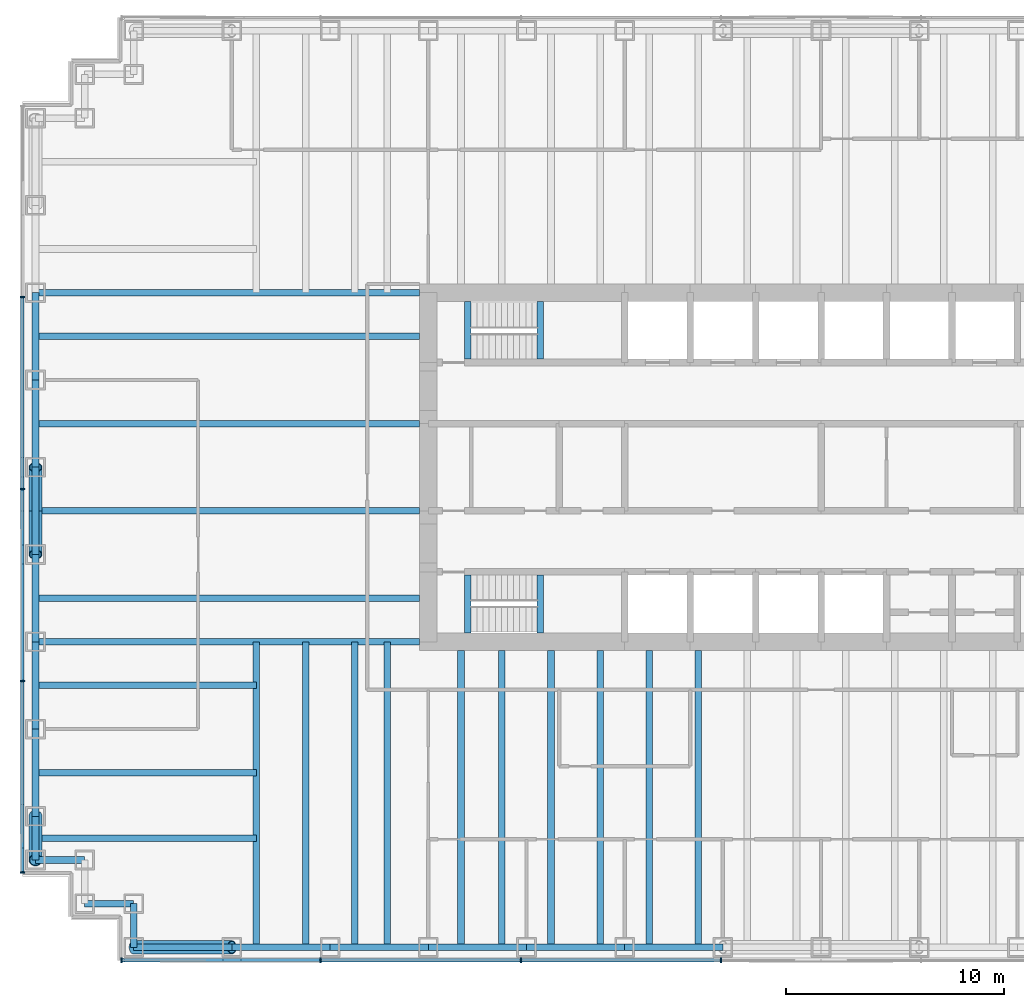
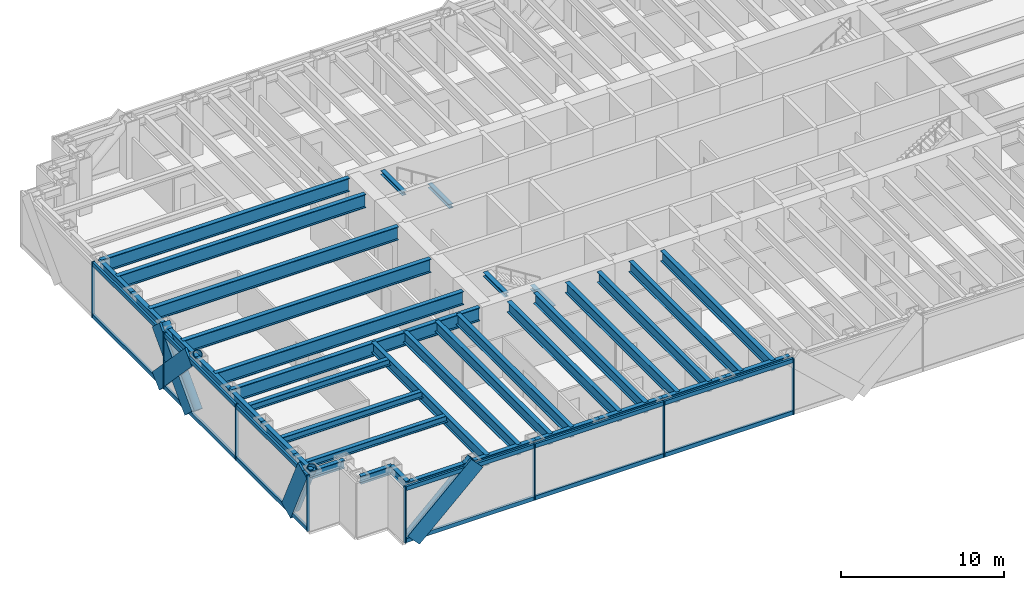
# One storey, part 2 of 15: 39 beams, 28 members, 2 elements without a shape of their own.
"""IFC4 building model written with IfcOpenShell, lengths in metres."""

from ifc_helpers import new_model, si_unit, direction, frame, origin, origin_2d, place, context, subcontext, project, spatial, rectangle, hollow_circle, i_section, extrude, material, material_profile, profile_set, type_object, element, aggregate, save


model = new_model("IFC4")

# Units and contexts
model_context = context("Model", 3, precision=1e-05, world=origin(), true_north=direction((0.0, 1.0)))
body_context = subcontext(model_context, "Body", "Model", "MODEL_VIEW")
ifc_project = project(units=[si_unit("LENGTHUNIT", "METRE"), si_unit("AREAUNIT", "SQUARE_METRE"), si_unit("VOLUMEUNIT", "CUBIC_METRE"), si_unit("PLANEANGLEUNIT", "RADIAN"), si_unit("MASSUNIT", "GRAM", prefix="KILO")], contexts=[model_context])

# Site, building, storey
site_placement = place(None, origin())
site = spatial("IfcSite", under=ifc_project, at=site_placement, CompositionType="ELEMENT")
building_placement = place(site_placement, origin())
building = spatial("IfcBuilding", under=site, at=building_placement, Name="Rheinbord Bourse Tower", CompositionType="ELEMENT")
storey_placement = place(building_placement, frame((0.0, 0.0, 215.199951171875)))
storey = spatial("IfcBuildingStorey", under=building, at=storey_placement, Name="L48", CompositionType="ELEMENT", Elevation=215.199951171875)

# Curtain wall, member
ifc_material_1 = material(Name="Dark glass and black aluminium", Category="aluminium")
curtain_wall_type = type_object("IfcCurtainWallType", Name="CW2 DARK GLASS CURTAIN WALL", PredefinedType="USERDEFINED", material=ifc_material_1)
curtain_wall_1_placement = place(storey_placement, origin())
curtain_wall_1 = element("IfcCurtainWall", 1, at=curtain_wall_1_placement, inside=storey, type_object=curtain_wall_type, Name="Curtain wall CW2 S L48", ObjectType="UNITISED CURTAIN WALL", PredefinedType="USERDEFINED")
ifc_material_2 = material(Name="Black anodised aluminium", Category="aluminium")
ifc_material_profile_1 = material_profile(ifc_material_2, rectangle(XDim=0.159912109375, YDim=1.2099609375, at=origin_2d()), Name="CW2 DIAGONAL MULLION 1210x160")
ifc_profile_set_1 = profile_set([ifc_material_profile_1], Name="Black anodised aluminium")
member_type_1 = type_object("IfcMemberType", Name="CW2 BLACK DIAGONAL MULLION", PredefinedType="USERDEFINED", material=ifc_profile_set_1)
member_1_placement = place(storey_placement, frame((4.5, 1.39990234375, 0.0), z_axis=(0.73105922506, 0.0, 0.682314010889), x_axis=(0.0, 1.0, 0.0)))
member_1 = element("IfcMember", 2, at=member_1_placement, type_object=member_type_1, Name="CW2 diagonal mullion c", ObjectType="DIAGONAL MULLION", PredefinedType="USERDEFINED", context=body_context, shape_type="SweptSolid", body=[
    extrude(rectangle(XDim=0.159912109375, YDim=1.2099609375, at=origin_2d()), origin(), (0.0, 0.0, 1.0), 6.155517578125),
])

# Curtain wall, members
curtain_wall_2_placement = place(storey_placement, origin())
curtain_wall_2 = element("IfcCurtainWall", 3, at=curtain_wall_2_placement, inside=storey, type_object=curtain_wall_type, Name="Curtain wall CW2 W L48", ObjectType="UNITISED CURTAIN WALL", PredefinedType="USERDEFINED")
member_2_placement = place(storey_placement, frame((-0.60009765625, 24.0, 0.0), z_axis=(0.0, -0.689659376744, 0.724133926887), x_axis=(1.0, 0.0, 0.0)))
member_2 = element("IfcMember", 4, at=member_2_placement, type_object=member_type_1, Name="CW2 diagonal mullion a", ObjectType="DIAGONAL MULLION", PredefinedType="USERDEFINED", context=body_context, shape_type="SweptSolid", body=[
    extrude(rectangle(XDim=0.159912109375, YDim=1.2099609375, at=origin_2d()), origin(), (0.0, 0.0, 1.0), 5.800048828125),
])
member_3_placement = place(storey_placement, frame((-0.60009765625, 20.0, 0.0), z_axis=(0.0, 0.689659376744, 0.724133926887), x_axis=(-1.0, 0.0, 0.0)))
member_3 = element("IfcMember", 5, at=member_3_placement, type_object=member_type_1, Name="CW2 diagonal mullion b", ObjectType="DIAGONAL MULLION", PredefinedType="USERDEFINED", context=body_context, shape_type="SweptSolid", body=[
    extrude(rectangle(XDim=0.159912109375, YDim=1.2099609375, at=origin_2d()), origin(), (0.0, 0.0, 1.0), 5.800048828125),
])
member_4_placement = place(storey_placement, frame((-0.60009765625, 8.0, 0.0), z_axis=(0.0, -0.429937654825, 0.902858578607), x_axis=(1.0, 0.0, 0.0)))
member_4 = element("IfcMember", 6, at=member_4_placement, type_object=member_type_1, Name="CW2 diagonal mullion c", ObjectType="DIAGONAL MULLION", PredefinedType="USERDEFINED", context=body_context, shape_type="SweptSolid", body=[
    extrude(rectangle(XDim=0.159912109375, YDim=1.2099609375, at=origin_2d()), origin(), (0.0, 0.0, 1.0), 4.65185546875),
])

# Member
ifc_material_3 = material(Name="Black anodised aluminium", Category="aluminium")
ifc_material_profile_2 = material_profile(ifc_material_3, rectangle(XDim=0.219970703125, YDim=0.070068359375, at=origin_2d()), Name="CW2 MULLION 70x220")
ifc_profile_set_2 = profile_set([ifc_material_profile_2], Name="Black anodised aluminium")
member_type_2 = type_object("IfcMemberType", Name="CW2 BLACK MULLION", PredefinedType="MULLION", material=ifc_profile_set_2)
member_5_placement = place(storey_placement, frame((3.93505859375, 1.39990234375, 0.0), z_axis=(0.0, 0.0, 1.0), x_axis=(0.0, 1.0, 0.0)))
member_5 = element("IfcMember", 7, at=member_5_placement, type_object=member_type_2, Name="CW2 mullion 1", PredefinedType="MULLION", context=body_context, shape_type="SweptSolid", body=[
    extrude(rectangle(XDim=0.219970703125, YDim=0.070068359375, at=origin_2d()), origin(), (0.0, 0.0, 1.0), 4.199951171875),
])

member_6_placement = place(storey_placement, frame((13.071533203125, 1.39990234375, 0.0), z_axis=(0.0, 0.0, 1.0), x_axis=(0.0, 1.0, 0.0)))
member_6 = element("IfcMember", 8, at=member_6_placement, type_object=member_type_2, Name="CW2 mullion 2", PredefinedType="MULLION", context=body_context, shape_type="SweptSolid", body=[
    extrude(rectangle(XDim=0.219970703125, YDim=0.070068359375, at=origin_2d()), origin(), (0.0, 0.0, 1.0), 4.199951171875),
])

member_7_placement = place(storey_placement, frame((22.242919921875, 1.39990234375, 0.0), z_axis=(0.0, 0.0, 1.0), x_axis=(0.0, 1.0, 0.0)))
member_7 = element("IfcMember", 9, at=member_7_placement, type_object=member_type_2, Name="CW2 mullion 3", PredefinedType="MULLION", context=body_context, shape_type="SweptSolid", body=[
    extrude(rectangle(XDim=0.219970703125, YDim=0.070068359375, at=origin_2d()), origin(), (0.0, 0.0, 1.0), 4.199951171875),
])

member_8_placement = place(storey_placement, frame((31.414306640625, 1.39990234375, 0.0), z_axis=(0.0, 0.0, 1.0), x_axis=(0.0, 1.0, 0.0)))
member_8 = element("IfcMember", 10, at=member_8_placement, type_object=member_type_2, Name="CW2 mullion 4", PredefinedType="MULLION", context=body_context, shape_type="SweptSolid", body=[
    extrude(rectangle(XDim=0.219970703125, YDim=0.070068359375, at=origin_2d()), origin(), (0.0, 0.0, 1.0), 4.199951171875),
])

member_9_placement = place(storey_placement, frame((-0.60009765625, 31.800048828125, 0.0), z_axis=(0.0, 0.0, 1.0), x_axis=(1.0, 0.0, 0.0)))
member_9 = element("IfcMember", 11, at=member_9_placement, type_object=member_type_2, Name="CW2 mullion 2", PredefinedType="MULLION", context=body_context, shape_type="SweptSolid", body=[
    extrude(rectangle(XDim=0.219970703125, YDim=0.070068359375, at=origin_2d()), origin(), (0.0, 0.0, 1.0), 4.199951171875),
])

member_10_placement = place(storey_placement, frame((-0.60009765625, 23.0, 0.0), z_axis=(0.0, 0.0, 1.0), x_axis=(1.0, 0.0, 0.0)))
member_10 = element("IfcMember", 12, at=member_10_placement, type_object=member_type_2, Name="CW2 mullion 3", PredefinedType="MULLION", context=body_context, shape_type="SweptSolid", body=[
    extrude(rectangle(XDim=0.219970703125, YDim=0.070068359375, at=origin_2d()), origin(), (0.0, 0.0, 1.0), 4.199951171875),
])

member_11_placement = place(storey_placement, frame((-0.60009765625, 14.199951171875, 0.0), z_axis=(0.0, 0.0, 1.0), x_axis=(1.0, 0.0, 0.0)))
member_11 = element("IfcMember", 13, at=member_11_placement, type_object=member_type_2, Name="CW2 mullion 4", PredefinedType="MULLION", context=body_context, shape_type="SweptSolid", body=[
    extrude(rectangle(XDim=0.219970703125, YDim=0.070068359375, at=origin_2d()), origin(), (0.0, 0.0, 1.0), 4.199951171875),
])

member_12_placement = place(storey_placement, frame((-0.60009765625, 5.43505859375, 0.0), z_axis=(0.0, 0.0, 1.0), x_axis=(1.0, 0.0, 0.0)))
member_12 = element("IfcMember", 14, at=member_12_placement, type_object=member_type_2, Name="CW2 mullion 5", PredefinedType="MULLION", context=body_context, shape_type="SweptSolid", body=[
    extrude(rectangle(XDim=0.219970703125, YDim=0.070068359375, at=origin_2d()), origin(), (0.0, 0.0, 1.0), 4.199951171875),
])

ifc_material_4 = material(Name="Black anodised aluminium", Category="aluminium")
ifc_material_profile_3 = material_profile(ifc_material_4, rectangle(XDim=0.159912109375, YDim=0.300048828125, at=origin_2d()), Name="CW2 TRANSOM 300x160")
ifc_profile_set_3 = profile_set([ifc_material_profile_3], Name="Black anodised aluminium")
member_type_3 = type_object("IfcMemberType", Name="CW2 BLACK TRANSOM", PredefinedType="USERDEFINED", material=ifc_profile_set_3)
member_13_placement = place(storey_placement, frame((3.969970703125, 1.39990234375, 0.150146484375), z_axis=(1.0, 0.0, 0.0), x_axis=(0.0, 1.0, 0.0)))
member_13 = element("IfcMember", 15, at=member_13_placement, type_object=member_type_3, Name="CW2 transom 1.1", ObjectType="TRANSOM", PredefinedType="USERDEFINED", context=body_context, shape_type="SweptSolid", body=[
    extrude(rectangle(XDim=0.159912109375, YDim=0.300048828125, at=origin_2d()), origin(), (0.0, 0.0, 1.0), 9.06640625),
])

member_14_placement = place(storey_placement, frame((3.969970703125, 1.39990234375, 4.050048828125), z_axis=(1.0, 0.0, 0.0), x_axis=(0.0, 1.0, 0.0)))
member_14 = element("IfcMember", 16, at=member_14_placement, type_object=member_type_3, Name="CW2 transom 1.2", ObjectType="TRANSOM", PredefinedType="USERDEFINED", context=body_context, shape_type="SweptSolid", body=[
    extrude(rectangle(XDim=0.159912109375, YDim=0.300048828125, at=origin_2d()), origin(), (0.0, 0.0, 1.0), 9.06640625),
])

member_15_placement = place(storey_placement, frame((13.1064453125, 1.39990234375, 0.150146484375), z_axis=(1.0, 0.0, 0.0), x_axis=(0.0, 1.0, 0.0)))
member_15 = element("IfcMember", 17, at=member_15_placement, type_object=member_type_3, Name="CW2 transom 2.1", ObjectType="TRANSOM", PredefinedType="USERDEFINED", context=body_context, shape_type="SweptSolid", body=[
    extrude(rectangle(XDim=0.159912109375, YDim=0.300048828125, at=origin_2d()), origin(), (0.0, 0.0, 1.0), 9.101318359375),
])

member_16_placement = place(storey_placement, frame((13.1064453125, 1.39990234375, 4.050048828125), z_axis=(1.0, 0.0, 0.0), x_axis=(0.0, 1.0, 0.0)))
member_16 = element("IfcMember", 18, at=member_16_placement, type_object=member_type_3, Name="CW2 transom 2.2", ObjectType="TRANSOM", PredefinedType="USERDEFINED", context=body_context, shape_type="SweptSolid", body=[
    extrude(rectangle(XDim=0.159912109375, YDim=0.300048828125, at=origin_2d()), origin(), (0.0, 0.0, 1.0), 9.101318359375),
])

member_17_placement = place(storey_placement, frame((22.27783203125, 1.39990234375, 0.150146484375), z_axis=(1.0, 0.0, 0.0), x_axis=(0.0, 1.0, 0.0)))
member_17 = element("IfcMember", 19, at=member_17_placement, type_object=member_type_3, Name="CW2 transom 3.1", ObjectType="TRANSOM", PredefinedType="USERDEFINED", context=body_context, shape_type="SweptSolid", body=[
    extrude(rectangle(XDim=0.159912109375, YDim=0.300048828125, at=origin_2d()), origin(), (0.0, 0.0, 1.0), 9.1015625),
])

member_18_placement = place(storey_placement, frame((22.27783203125, 1.39990234375, 4.050048828125), z_axis=(1.0, 0.0, 0.0), x_axis=(0.0, 1.0, 0.0)))
member_18 = element("IfcMember", 20, at=member_18_placement, type_object=member_type_3, Name="CW2 transom 3.2", ObjectType="TRANSOM", PredefinedType="USERDEFINED", context=body_context, shape_type="SweptSolid", body=[
    extrude(rectangle(XDim=0.159912109375, YDim=0.300048828125, at=origin_2d()), origin(), (0.0, 0.0, 1.0), 9.1015625),
])

aggregate(curtain_wall_1, [member_5, member_6, member_7, member_8, member_13, member_14, member_15, member_16, member_17, member_18, member_1])

member_19_placement = place(storey_placement, frame((-0.60009765625, 31.764892578125, 0.150146484375), z_axis=(0.0, -1.0, 0.0), x_axis=(1.0, 0.0, 0.0)))
member_19 = element("IfcMember", 21, at=member_19_placement, type_object=member_type_3, Name="CW2 transom 2.1", ObjectType="TRANSOM", PredefinedType="USERDEFINED", context=body_context, shape_type="SweptSolid", body=[
    extrude(rectangle(XDim=0.159912109375, YDim=0.300048828125, at=origin_2d()), origin(), (0.0, 0.0, 1.0), 8.72998046875),
])

member_20_placement = place(storey_placement, frame((-0.60009765625, 31.764892578125, 4.050048828125), z_axis=(0.0, -1.0, 0.0), x_axis=(1.0, 0.0, 0.0)))
member_20 = element("IfcMember", 22, at=member_20_placement, type_object=member_type_3, Name="CW2 transom 2.2", ObjectType="TRANSOM", PredefinedType="USERDEFINED", context=body_context, shape_type="SweptSolid", body=[
    extrude(rectangle(XDim=0.159912109375, YDim=0.300048828125, at=origin_2d()), origin(), (0.0, 0.0, 1.0), 8.72998046875),
])

member_21_placement = place(storey_placement, frame((-0.60009765625, 22.965087890625, 0.150146484375), z_axis=(0.0, -1.0, 0.0), x_axis=(1.0, 0.0, 0.0)))
member_21 = element("IfcMember", 23, at=member_21_placement, type_object=member_type_3, Name="CW2 transom 3.1", ObjectType="TRANSOM", PredefinedType="USERDEFINED", context=body_context, shape_type="SweptSolid", body=[
    extrude(rectangle(XDim=0.159912109375, YDim=0.300048828125, at=origin_2d()), origin(), (0.0, 0.0, 1.0), 8.72998046875),
])

member_22_placement = place(storey_placement, frame((-0.60009765625, 22.965087890625, 4.050048828125), z_axis=(0.0, -1.0, 0.0), x_axis=(1.0, 0.0, 0.0)))
member_22 = element("IfcMember", 24, at=member_22_placement, type_object=member_type_3, Name="CW2 transom 3.2", ObjectType="TRANSOM", PredefinedType="USERDEFINED", context=body_context, shape_type="SweptSolid", body=[
    extrude(rectangle(XDim=0.159912109375, YDim=0.300048828125, at=origin_2d()), origin(), (0.0, 0.0, 1.0), 8.72998046875),
])

member_23_placement = place(storey_placement, frame((-0.60009765625, 14.1650390625, 0.150146484375), z_axis=(0.0, -1.0, 0.0), x_axis=(1.0, 0.0, 0.0)))
member_23 = element("IfcMember", 25, at=member_23_placement, type_object=member_type_3, Name="CW2 transom 4.1", ObjectType="TRANSOM", PredefinedType="USERDEFINED", context=body_context, shape_type="SweptSolid", body=[
    extrude(rectangle(XDim=0.159912109375, YDim=0.300048828125, at=origin_2d()), origin(), (0.0, 0.0, 1.0), 8.695068359375),
])

member_24_placement = place(storey_placement, frame((-0.60009765625, 14.1650390625, 4.050048828125), z_axis=(0.0, -1.0, 0.0), x_axis=(1.0, 0.0, 0.0)))
member_24 = element("IfcMember", 26, at=member_24_placement, type_object=member_type_3, Name="CW2 transom 4.2", ObjectType="TRANSOM", PredefinedType="USERDEFINED", context=body_context, shape_type="SweptSolid", body=[
    extrude(rectangle(XDim=0.159912109375, YDim=0.300048828125, at=origin_2d()), origin(), (0.0, 0.0, 1.0), 8.695068359375),
])

aggregate(curtain_wall_2, [member_9, member_10, member_11, member_12, member_19, member_20, member_21, member_22, member_23, member_24, member_2, member_3, member_4])

# Beams
ifc_material_5 = material(Name="Steel S460", Category="steel")
ifc_material_profile_4 = material_profile(ifc_material_5, i_section(OverallWidth=0.302001953125, OverallDepth=1.008056640625, WebThickness=0.02099609375, FlangeThickness=0.0400390625, at=origin_2d()), Name="HEM 1000")
ifc_profile_set_4 = profile_set([ifc_material_profile_4], Name="Steel S460")
beam_type_1 = type_object("IfcBeamType", Name="END BEAM HEM 1000", PredefinedType="BEAM", material=ifc_profile_set_4)
for number, where, z_axis, x_axis, name in (
    (27, (0.0, 18.0, 3.5361328125), (1.0, 0.0, 0.0), (0.0, 1.0, 0.0), "End beam west 18 L49"),
    (28, (0.0, 22.0, 3.5361328125), (1.0, 0.0, 0.0), (0.0, 1.0, 0.0), "End beam west 22 L49"),
    (29, (0.0, 26.0, 3.5361328125), (1.0, 0.0, 0.0), (0.0, 1.0, 0.0), "End beam west 26 L49"),
    (30, (0.0, 30.0, 3.5361328125), (1.0, 0.0, 0.0), (0.0, 1.0, 0.0), "End beam west 30 L49"),
):
    element("IfcBeam", number, at=place(storey_placement, frame(where, z_axis=z_axis, x_axis=x_axis)), inside=storey, type_object=beam_type_1, Name=name, PredefinedType="BEAM", context=body_context, shape_type="SweptSolid", body=[
        extrude(i_section(OverallWidth=0.302001953125, OverallDepth=1.008056640625, WebThickness=0.02099609375, FlangeThickness=0.0400390625, at=origin_2d()), origin(), (0.0, 0.0, 1.0), 17.60009765625),
    ])
ifc_material_6 = material(Name="Steel S460", Category="steel")
ifc_material_profile_5 = material_profile(ifc_material_6, i_section(OverallWidth=0.300048828125, OverallDepth=0.800048828125, WebThickness=0.017578125, FlangeThickness=0.032958984375, at=origin_2d()), Name="HEB 800")
ifc_profile_set_5 = profile_set([ifc_material_profile_5], Name="Steel S460")
beam_type_2 = type_object("IfcBeamType", Name="FLOOR BEAM HEB 800", PredefinedType="BEAM", material=ifc_profile_set_5)
for number, where, z_axis, x_axis, name in (
    (31, (10.125, 2.0, 3.64013671875), (0.0, 1.0, 0.0), (-1.0, 0.0, 0.0), "Floor beam S-9a L49"),
    (32, (12.375, 2.0, 3.64013671875), (0.0, 1.0, 0.0), (-1.0, 0.0, 0.0), "Floor beam S-9b L49"),
    (33, (14.625, 2.0, 3.64013671875), (0.0, 1.0, 0.0), (-1.0, 0.0, 0.0), "Floor beam S-13.5a L49"),
    (34, (16.125, 2.0, 3.64013671875), (0.0, 1.0, 0.0), (-1.0, 0.0, 0.0), "Floor beam S-13.5b L49"),
):
    element("IfcBeam", number, at=place(storey_placement, frame(where, z_axis=z_axis, x_axis=x_axis)), inside=storey, type_object=beam_type_2, Name=name, PredefinedType="BEAM", context=body_context, shape_type="SweptSolid", body=[
        extrude(i_section(OverallWidth=0.300048828125, OverallDepth=0.800048828125, WebThickness=0.017578125, FlangeThickness=0.032958984375, at=origin_2d()), origin(), (0.0, 0.0, 1.0), 14.0),
    ])
for number, where, z_axis, x_axis, name in (
    (35, (19.5, 2.0, 3.64013671875), (0.0, 1.0, 0.0), (-1.0, 0.0, 0.0), "Floor beam S-18a L49"),
    (36, (21.375, 2.0, 3.64013671875), (0.0, 1.0, 0.0), (-1.0, 0.0, 0.0), "Floor beam S-18b L49"),
    (37, (23.625, 2.0, 3.64013671875), (0.0, 1.0, 0.0), (-1.0, 0.0, 0.0), "Floor beam S-22.5a L49"),
    (38, (25.875, 2.0, 3.64013671875), (0.0, 1.0, 0.0), (-1.0, 0.0, 0.0), "Floor beam S-22.5b L49"),
    (39, (28.125, 2.0, 3.64013671875), (0.0, 1.0, 0.0), (-1.0, 0.0, 0.0), "Floor beam S-27a L49"),
    (40, (30.375, 2.0, 3.64013671875), (0.0, 1.0, 0.0), (-1.0, 0.0, 0.0), "Floor beam S-27b L49"),
):
    element("IfcBeam", number, at=place(storey_placement, frame(where, z_axis=z_axis, x_axis=x_axis)), inside=storey, type_object=beam_type_2, Name=name, PredefinedType="BEAM", context=body_context, shape_type="SweptSolid", body=[
        extrude(i_section(OverallWidth=0.300048828125, OverallDepth=0.800048828125, WebThickness=0.017578125, FlangeThickness=0.032958984375, at=origin_2d()), origin(), (0.0, 0.0, 1.0), 13.60009765625),
    ])
ifc_material_7 = material(Name="Steel S460", Category="steel")
ifc_material_profile_6 = material_profile(ifc_material_7, i_section(OverallWidth=0.302001953125, OverallDepth=1.008056640625, WebThickness=0.02099609375, FlangeThickness=0.0400390625, at=origin_2d()), Name="HEM 1000")
ifc_profile_set_6 = profile_set([ifc_material_profile_6], Name="Steel S460")
beam_type_3 = type_object("IfcBeamType", Name="GIRDER HEM 1000", PredefinedType="BEAM", material=ifc_profile_set_6)
for number, where, z_axis, x_axis, name in (
    (41, (0.0, 16.0, 3.5361328125), (1.0, 0.0, 0.0), (0.0, 1.0, 0.0), "Girder west 16 L49"),
    (42, (0.0, 32.0, 3.5361328125), (1.0, 0.0, 0.0), (0.0, 1.0, 0.0), "Girder west 32 L49"),
):
    element("IfcBeam", number, at=place(storey_placement, frame(where, z_axis=z_axis, x_axis=x_axis)), inside=storey, type_object=beam_type_3, Name=name, PredefinedType="BEAM", context=body_context, shape_type="SweptSolid", body=[
        extrude(i_section(OverallWidth=0.302001953125, OverallDepth=1.008056640625, WebThickness=0.02099609375, FlangeThickness=0.0400390625, at=origin_2d()), origin(), (0.0, 0.0, 1.0), 17.60009765625),
    ])
ifc_material_8 = material(Name="Steel S460", Category="steel")
ifc_material_profile_7 = material_profile(ifc_material_8, i_section(OverallWidth=0.300048828125, OverallDepth=0.300048828125, WebThickness=0.010986328125, FlangeThickness=0.01904296875, at=origin_2d()), Name="HEB 300")
ifc_profile_set_7 = profile_set([ifc_material_profile_7], Name="Steel S460")
beam_type_4 = type_object("IfcBeamType", Name="LANDING TRIMMER HEB 300", PredefinedType="BEAM", material=ifc_profile_set_7)
for number, where, z_axis, x_axis, name in (
    (43, (23.1298828125, 16.39990234375, 1.75), (0.0, 1.0, 0.0), (-1.0, 0.0, 0.0), "Landing trimmer ST1 L48"),
    (44, (19.800048828125, 16.39990234375, 3.89013671875), (0.0, 1.0, 0.0), (-1.0, 0.0, 0.0), "Well trimmer ST1 under L49"),
    (45, (23.1298828125, 28.949951171875, 1.75), (0.0, 1.0, 0.0), (-1.0, 0.0, 0.0), "Landing trimmer ST2 L48"),
    (46, (19.800048828125, 28.949951171875, 3.89013671875), (0.0, 1.0, 0.0), (-1.0, 0.0, 0.0), "Well trimmer ST2 under L49"),
):
    element("IfcBeam", number, at=place(storey_placement, frame(where, z_axis=z_axis, x_axis=x_axis)), inside=storey, type_object=beam_type_4, Name=name, PredefinedType="BEAM", context=body_context, shape_type="SweptSolid", body=[
        extrude(i_section(OverallWidth=0.300048828125, OverallDepth=0.300048828125, WebThickness=0.010986328125, FlangeThickness=0.01904296875, at=origin_2d()), origin(), (0.0, 0.0, 1.0), 2.650146484375),
    ])

# Members
ifc_material_9 = material(Name="Steel S460", Category="steel")
ifc_material_profile_8 = material_profile(ifc_material_9, hollow_circle(Radius=0.304931640625, WallThickness=0.0400390625, at=origin_2d()), Name="CHS 610x40")
ifc_profile_set_8 = profile_set([ifc_material_profile_8], Name="Steel S460")
member_type_4 = type_object("IfcMemberType", Name="MEGABRACE CHS 610x40", PredefinedType="BRACE", material=ifc_profile_set_8)
member_25_placement = place(storey_placement, frame((4.5, 2.0, 0.0), z_axis=(0.73105922506, 0.0, 0.682314010889), x_axis=(0.0, 1.0, 0.0)))
element("IfcMember", 47, at=member_25_placement, inside=storey, type_object=member_type_4, Name="Megabrace S face line c L48", PredefinedType="BRACE", context=body_context, shape_type="SweptSolid", body=[
    extrude(hollow_circle(Radius=0.304931640625, WallThickness=0.0400390625, at=origin_2d()), origin(), (0.0, 0.0, 1.0), 6.155517578125),
])
for number, where, z_axis, x_axis, name in (
    (48, (0.0, 24.0, 0.0), (0.0, -0.689659376744, 0.724133926887), (1.0, 0.0, 0.0), "Megabrace W face line a L48"),
    (49, (0.0, 20.0, 0.0), (0.0, 0.689659376744, 0.724133926887), (-1.0, 0.0, 0.0), "Megabrace W face line b L48"),
):
    element("IfcMember", number, at=place(storey_placement, frame(where, z_axis=z_axis, x_axis=x_axis)), inside=storey, type_object=member_type_4, Name=name, PredefinedType="BRACE", context=body_context, shape_type="SweptSolid", body=[
        extrude(hollow_circle(Radius=0.304931640625, WallThickness=0.0400390625, at=origin_2d()), origin(), (0.0, 0.0, 1.0), 5.800048828125),
    ])
member_26_placement = place(storey_placement, frame((0.0, 8.0, 0.0), z_axis=(0.0, -0.429937654825, 0.902858578607), x_axis=(1.0, 0.0, 0.0)))
element("IfcMember", 50, at=member_26_placement, inside=storey, type_object=member_type_4, Name="Megabrace W face line c L48", PredefinedType="BRACE", context=body_context, shape_type="SweptSolid", body=[
    extrude(hollow_circle(Radius=0.304931640625, WallThickness=0.0400390625, at=origin_2d()), origin(), (0.0, 0.0, 1.0), 4.65185546875),
])

# Beams
ifc_material_10 = material(Name="Steel S460", Category="steel")
ifc_material_profile_9 = material_profile(ifc_material_10, i_section(OverallWidth=0.300048828125, OverallDepth=0.60009765625, WebThickness=0.015380859375, FlangeThickness=0.030029296875, at=origin_2d()), Name="HEB 600")
ifc_profile_set_9 = profile_set([ifc_material_profile_9], Name="Steel S460")
beam_type_5 = type_object("IfcBeamType", Name="SPANDREL HEB 600", PredefinedType="SPANDREL", material=ifc_profile_set_9)
for number, where, z_axis, x_axis, name in (
    (51, (4.5, 2.0, 3.739990234375), (1.0, 0.0, 0.0), (0.0, 1.0, 0.0), "Spandrel SW-E-S-9 under L49"),
    (52, (9.0, 2.0, 3.739990234375), (1.0, 0.0, 0.0), (0.0, 1.0, 0.0), "Spandrel S-9-S-13.5 under L49"),
    (53, (13.5, 2.0, 3.739990234375), (1.0, 0.0, 0.0), (0.0, 1.0, 0.0), "Spandrel S-13.5-S-18 under L49"),
    (54, (18.0, 2.0, 3.739990234375), (1.0, 0.0, 0.0), (0.0, 1.0, 0.0), "Spandrel S-18-S-22.5 under L49"),
    (55, (22.5, 2.0, 3.739990234375), (1.0, 0.0, 0.0), (0.0, 1.0, 0.0), "Spandrel S-22.5-S-27 under L49"),
    (56, (27.0, 2.0, 3.739990234375), (1.0, 0.0, 0.0), (0.0, 1.0, 0.0), "Spandrel S-27-S-31.5 under L49"),
):
    element("IfcBeam", number, at=place(storey_placement, frame(where, z_axis=z_axis, x_axis=x_axis)), inside=storey, type_object=beam_type_5, Name=name, PredefinedType="SPANDREL", context=body_context, shape_type="SweptSolid", body=[
        extrude(i_section(OverallWidth=0.300048828125, OverallDepth=0.60009765625, WebThickness=0.015380859375, FlangeThickness=0.030029296875, at=origin_2d()), origin(), (0.0, 0.0, 1.0), 4.5),
    ])
for number, where, z_axis, x_axis, name in (
    (57, (0.0, 32.0, 3.739990234375), (0.0, -1.0, 0.0), (1.0, 0.0, 0.0), "Spandrel W-32-W-28 under L49"),
    (58, (0.0, 28.0, 3.739990234375), (0.0, -1.0, 0.0), (1.0, 0.0, 0.0), "Spandrel W-28-W-24 under L49"),
    (59, (0.0, 24.0, 3.739990234375), (0.0, -1.0, 0.0), (1.0, 0.0, 0.0), "Spandrel W-24-W-20 under L49"),
    (60, (0.0, 20.0, 3.739990234375), (0.0, -1.0, 0.0), (1.0, 0.0, 0.0), "Spandrel W-20-W-16 under L49"),
    (61, (0.0, 16.0, 3.739990234375), (0.0, -1.0, 0.0), (1.0, 0.0, 0.0), "Spandrel W-16-W-12 under L49"),
    (62, (0.0, 12.0, 3.739990234375), (0.0, -1.0, 0.0), (1.0, 0.0, 0.0), "Spandrel W-12-W-8 under L49"),
):
    element("IfcBeam", number, at=place(storey_placement, frame(where, z_axis=z_axis, x_axis=x_axis)), inside=storey, type_object=beam_type_5, Name=name, PredefinedType="SPANDREL", context=body_context, shape_type="SweptSolid", body=[
        extrude(i_section(OverallWidth=0.300048828125, OverallDepth=0.60009765625, WebThickness=0.015380859375, FlangeThickness=0.030029296875, at=origin_2d()), origin(), (0.0, 0.0, 1.0), 4.0),
    ])
beam_1_placement = place(storey_placement, frame((0.0, 8.0, 3.739990234375), z_axis=(0.0, -1.0, 0.0), x_axis=(1.0, 0.0, 0.0)))
element("IfcBeam", 63, at=beam_1_placement, inside=storey, type_object=beam_type_5, Name="Spandrel W-8-SW-A under L49", PredefinedType="SPANDREL", context=body_context, shape_type="SweptSolid", body=[
    extrude(i_section(OverallWidth=0.300048828125, OverallDepth=0.60009765625, WebThickness=0.015380859375, FlangeThickness=0.030029296875, at=origin_2d()), origin(), (0.0, 0.0, 1.0), 2.0),
])
for number, where, z_axis, x_axis, name in (
    (64, (0.0, 6.0, 3.739990234375), (1.0, 0.0, 0.0), (0.0, 1.0, 0.0), "Spandrel SW-A-SW-B under L49"),
    (65, (2.25, 4.0, 3.739990234375), (1.0, 0.0, 0.0), (0.0, 1.0, 0.0), "Spandrel SW-C-SW-D under L49"),
):
    element("IfcBeam", number, at=place(storey_placement, frame(where, z_axis=z_axis, x_axis=x_axis)), inside=storey, type_object=beam_type_5, Name=name, PredefinedType="SPANDREL", context=body_context, shape_type="SweptSolid", body=[
        extrude(i_section(OverallWidth=0.300048828125, OverallDepth=0.60009765625, WebThickness=0.015380859375, FlangeThickness=0.030029296875, at=origin_2d()), origin(), (0.0, 0.0, 1.0), 2.25),
    ])
beam_2_placement = place(storey_placement, frame((4.5, 4.0, 3.739990234375), z_axis=(0.0, -1.0, 0.0), x_axis=(1.0, 0.0, 0.0)))
element("IfcBeam", 66, at=beam_2_placement, inside=storey, type_object=beam_type_5, Name="Spandrel SW-D-SW-E under L49", PredefinedType="SPANDREL", context=body_context, shape_type="SweptSolid", body=[
    extrude(i_section(OverallWidth=0.300048828125, OverallDepth=0.60009765625, WebThickness=0.015380859375, FlangeThickness=0.030029296875, at=origin_2d()), origin(), (0.0, 0.0, 1.0), 2.0),
])
ifc_material_11 = material(Name="Steel S460", Category="steel")
ifc_material_profile_10 = material_profile(ifc_material_11, i_section(OverallWidth=0.300048828125, OverallDepth=0.5, WebThickness=0.014404296875, FlangeThickness=0.028076171875, at=origin_2d()), Name="HEB 500")
ifc_profile_set_10 = profile_set([ifc_material_profile_10], Name="Steel S460")
beam_type_6 = type_object("IfcBeamType", Name="TIE BEAM HEB 500", PredefinedType="JOIST", material=ifc_profile_set_10)
for number, where, z_axis, x_axis, name in (
    (67, (0.0, 7.0, 3.7900390625), (1.0, 0.0, 0.0), (0.0, 1.0, 0.0), "Tie west 7 L49"),
    (68, (0.0, 10.0, 3.7900390625), (1.0, 0.0, 0.0), (0.0, 1.0, 0.0), "Tie west 10 L49"),
    (69, (0.0, 14.0, 3.7900390625), (1.0, 0.0, 0.0), (0.0, 1.0, 0.0), "Tie west 14 L49"),
):
    element("IfcBeam", number, at=place(storey_placement, frame(where, z_axis=z_axis, x_axis=x_axis)), inside=storey, type_object=beam_type_6, Name=name, PredefinedType="JOIST", context=body_context, shape_type="SweptSolid", body=[
        extrude(i_section(OverallWidth=0.300048828125, OverallDepth=0.5, WebThickness=0.014404296875, FlangeThickness=0.028076171875, at=origin_2d()), origin(), (0.0, 0.0, 1.0), 10.125),
    ])

save(model, "model.ifc")
